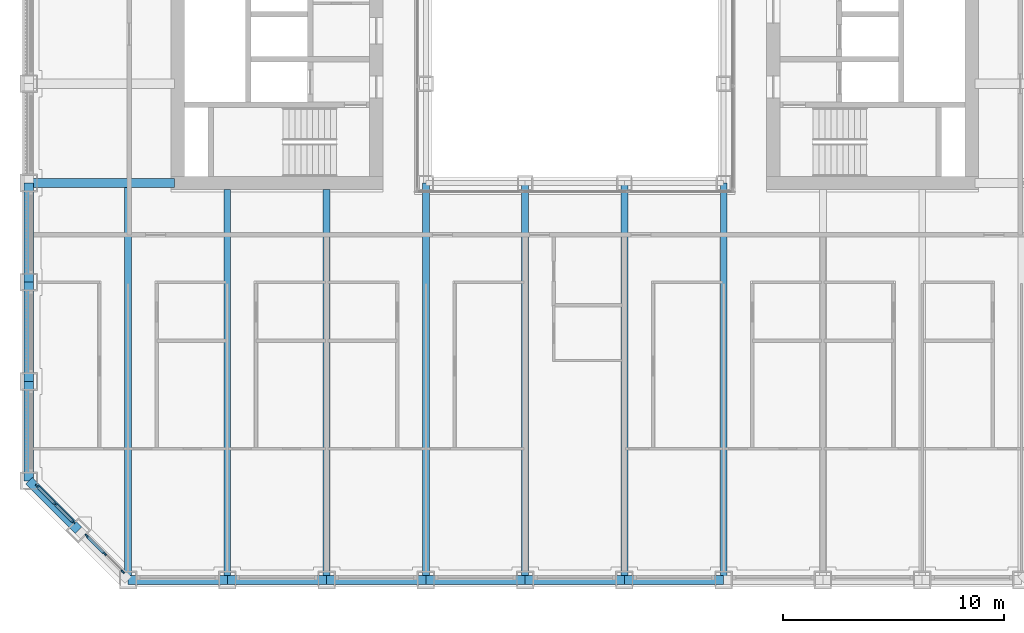
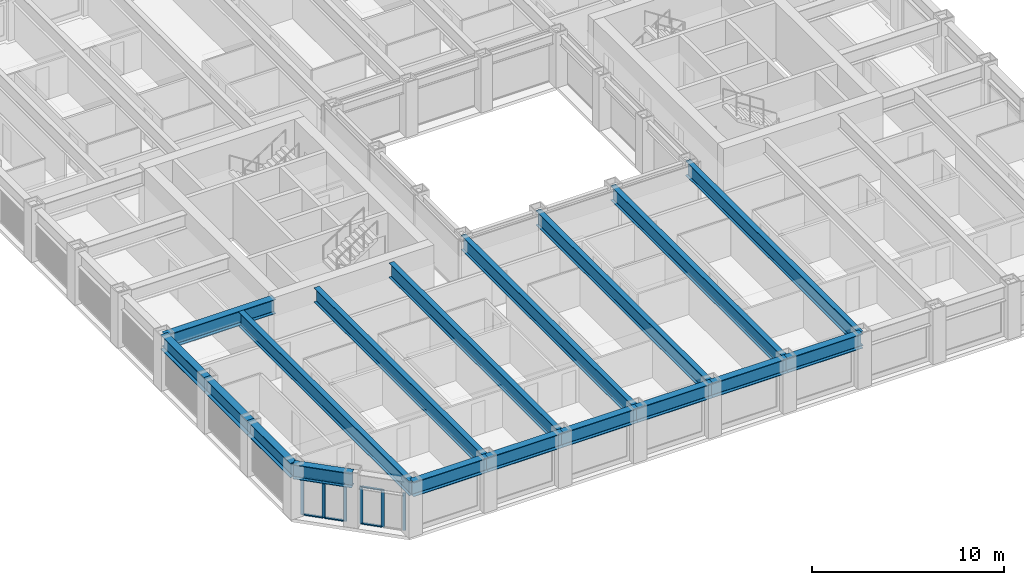
# One storey, part 2 of 20: 18 beams, 12 members, 2 elements without a shape of their own.
"""IFC4 building model written with IfcOpenShell, lengths in metres."""

from ifc_helpers import new_model, si_unit, direction, frame, origin, origin_2d, place, context, subcontext, project, spatial, rectangle, i_section, extrude, material, material_profile, profile_set, type_object, element, aggregate, save


model = new_model("IFC4")

# Units and contexts
model_context = context("Model", 3, precision=1e-05, world=origin(), true_north=direction((0.0, 1.0)))
body_context = subcontext(model_context, "Body", "Model", "MODEL_VIEW")
ifc_project = project(units=[si_unit("LENGTHUNIT", "METRE"), si_unit("AREAUNIT", "SQUARE_METRE"), si_unit("VOLUMEUNIT", "CUBIC_METRE"), si_unit("PLANEANGLEUNIT", "RADIAN"), si_unit("MASSUNIT", "GRAM", prefix="KILO")], contexts=[model_context])

# Site, building, storey
site_placement = place(None, origin())
site = spatial("IfcSite", under=ifc_project, at=site_placement, CompositionType="ELEMENT")
building_placement = place(site_placement, origin())
building = spatial("IfcBuilding", under=site, at=building_placement, Name="Msasa Ring Tower", CompositionType="ELEMENT")
storey_placement = place(building_placement, frame((0.0, 0.0, 58.0)))
storey = spatial("IfcBuildingStorey", under=building, at=storey_placement, Name="L14", CompositionType="ELEMENT", Elevation=58.0)

# Curtain wall, members
ifc_material_1 = material(Name="Aluminium curtain wall with clear glass", Category="aluminium")
curtain_wall_type = type_object("IfcCurtainWallType", Name="CW-C CHAMFER CORNER CURTAIN WALL", PredefinedType="NOTDEFINED", material=ifc_material_1)
curtain_wall_1_placement = place(storey_placement, origin())
curtain_wall_1 = element("IfcCurtainWall", 1, at=curtain_wall_1_placement, inside=storey, type_object=curtain_wall_type, Name="Chamfer corner curtain wall SW L14", PredefinedType="NOTDEFINED")
ifc_material_2 = material(Name="Aluminium mullion", Category="aluminium")
ifc_material_profile_1 = material_profile(ifc_material_2, rectangle(XDim=0.06494140625, YDim=0.179931640625, at=origin_2d()), Name="AL 65x180")
ifc_profile_set_1 = profile_set([ifc_material_profile_1], Name="Aluminium mullion")
member_type_1 = type_object("IfcMemberType", Name="CW-C MULLION 65x180", PredefinedType="MULLION", material=ifc_profile_set_1)
member_1_placement = place(storey_placement, frame((-24.369873046875, -20.48876953125, 0.0), z_axis=(0.0, 0.0, 1.0), x_axis=(0.707106781187, 0.707106781187, 0.0)))
member_1 = element("IfcMember", 2, at=member_1_placement, type_object=member_type_1, Name="CW-C mullion 1", PredefinedType="MULLION", context=body_context, shape_type="SweptSolid", body=[
    extrude(rectangle(XDim=0.06494140625, YDim=0.179931640625, at=origin_2d()), origin(), (0.0, 0.0, 1.0), 2.37890625),
])
member_2_placement = place(storey_placement, frame((-23.55419921875, -21.30419921875, 0.0), z_axis=(0.0, 0.0, 1.0), x_axis=(0.707106781187, 0.707106781187, 0.0)))
member_2 = element("IfcMember", 3, at=member_2_placement, type_object=member_type_1, Name="CW-C mullion 2", PredefinedType="MULLION", context=body_context, shape_type="SweptSolid", body=[
    extrude(rectangle(XDim=0.06494140625, YDim=0.179931640625, at=origin_2d()), origin(), (0.0, 0.0, 1.0), 2.37890625),
])
member_3_placement = place(storey_placement, frame((-22.73876953125, -22.119873046875, 0.0), z_axis=(0.0, 0.0, 1.0), x_axis=(0.707106781187, 0.707106781187, 0.0)))
member_3 = element("IfcMember", 4, at=member_3_placement, type_object=member_type_1, Name="CW-C mullion 3", PredefinedType="MULLION", context=body_context, shape_type="SweptSolid", body=[
    extrude(rectangle(XDim=0.06494140625, YDim=0.179931640625, at=origin_2d()), origin(), (0.0, 0.0, 1.0), 2.37890625),
])

curtain_wall_2_placement = place(storey_placement, origin())
curtain_wall_2 = element("IfcCurtainWall", 5, at=curtain_wall_2_placement, inside=storey, type_object=curtain_wall_type, Name="Chamfer corner curtain wall SW L14", PredefinedType="NOTDEFINED")
member_4_placement = place(storey_placement, frame((-22.119873046875, -22.73876953125, 0.0), z_axis=(0.0, 0.0, 1.0), x_axis=(0.707106781187, 0.707106781187, 0.0)))
member_4 = element("IfcMember", 6, at=member_4_placement, type_object=member_type_1, Name="CW-C mullion 1", PredefinedType="MULLION", context=body_context, shape_type="SweptSolid", body=[
    extrude(rectangle(XDim=0.06494140625, YDim=0.179931640625, at=origin_2d()), origin(), (0.0, 0.0, 1.0), 2.37890625),
])
member_5_placement = place(storey_placement, frame((-21.30419921875, -23.55419921875, 0.0), z_axis=(0.0, 0.0, 1.0), x_axis=(0.707106781187, 0.707106781187, 0.0)))
member_5 = element("IfcMember", 7, at=member_5_placement, type_object=member_type_1, Name="CW-C mullion 2", PredefinedType="MULLION", context=body_context, shape_type="SweptSolid", body=[
    extrude(rectangle(XDim=0.06494140625, YDim=0.179931640625, at=origin_2d()), origin(), (0.0, 0.0, 1.0), 2.37890625),
])
member_6_placement = place(storey_placement, frame((-20.48876953125, -24.369873046875, 0.0), z_axis=(0.0, 0.0, 1.0), x_axis=(0.707106781187, 0.707106781187, 0.0)))
member_6 = element("IfcMember", 8, at=member_6_placement, type_object=member_type_1, Name="CW-C mullion 3", PredefinedType="MULLION", context=body_context, shape_type="SweptSolid", body=[
    extrude(rectangle(XDim=0.06494140625, YDim=0.179931640625, at=origin_2d()), origin(), (0.0, 0.0, 1.0), 2.37890625),
])

# Member
ifc_material_3 = material(Name="Aluminium transom", Category="aluminium")
ifc_material_profile_2 = material_profile(ifc_material_3, rectangle(XDim=0.139892578125, YDim=0.06494140625, at=origin_2d()), Name="AL 65x140")
ifc_profile_set_2 = profile_set([ifc_material_profile_2], Name="Aluminium transom")
member_type_2 = type_object("IfcMemberType", Name="CW-C TRANSOM 65x140", PredefinedType="USERDEFINED", material=ifc_profile_set_2)
member_7_placement = place(storey_placement, frame((-24.346923828125, -20.51171875, 0.032470703125), z_axis=(0.707106781187, -0.707106781187, 0.0), x_axis=(0.707106781187, 0.707106781187, 0.0)))
member_7 = element("IfcMember", 9, at=member_7_placement, type_object=member_type_2, Name="CW-C transom 1.1", ObjectType="TRANSOM", PredefinedType="USERDEFINED", context=body_context, shape_type="SweptSolid", body=[
    extrude(rectangle(XDim=0.139892578125, YDim=0.06494140625, at=origin_2d()), origin(), (0.0, 0.0, 1.0), 1.08837890625),
])

member_8_placement = place(storey_placement, frame((-24.346923828125, -20.51171875, 2.346435546875), z_axis=(0.707106781187, -0.707106781187, 0.0), x_axis=(0.707106781187, 0.707106781187, 0.0)))
member_8 = element("IfcMember", 10, at=member_8_placement, type_object=member_type_2, Name="CW-C transom 1.2", ObjectType="TRANSOM", PredefinedType="USERDEFINED", context=body_context, shape_type="SweptSolid", body=[
    extrude(rectangle(XDim=0.139892578125, YDim=0.06494140625, at=origin_2d()), origin(), (0.0, 0.0, 1.0), 1.08837890625),
])

member_9_placement = place(storey_placement, frame((-23.53125, -21.327392578125, 0.032470703125), z_axis=(0.707106781187, -0.707106781187, 0.0), x_axis=(0.707106781187, 0.707106781187, 0.0)))
member_9 = element("IfcMember", 11, at=member_9_placement, type_object=member_type_2, Name="CW-C transom 2.1", ObjectType="TRANSOM", PredefinedType="USERDEFINED", context=body_context, shape_type="SweptSolid", body=[
    extrude(rectangle(XDim=0.139892578125, YDim=0.06494140625, at=origin_2d()), origin(), (0.0, 0.0, 1.0), 1.08837890625),
])

member_10_placement = place(storey_placement, frame((-23.53125, -21.327392578125, 2.346435546875), z_axis=(0.707106781187, -0.707106781187, 0.0), x_axis=(0.707106781187, 0.707106781187, 0.0)))
member_10 = element("IfcMember", 12, at=member_10_placement, type_object=member_type_2, Name="CW-C transom 2.2", ObjectType="TRANSOM", PredefinedType="USERDEFINED", context=body_context, shape_type="SweptSolid", body=[
    extrude(rectangle(XDim=0.139892578125, YDim=0.06494140625, at=origin_2d()), origin(), (0.0, 0.0, 1.0), 1.08837890625),
])

aggregate(curtain_wall_1, [member_1, member_2, member_3, member_7, member_8, member_9, member_10])

member_11_placement = place(storey_placement, frame((-22.096923828125, -22.76171875, 0.032470703125), z_axis=(0.707106781187, -0.707106781187, 0.0), x_axis=(0.707106781187, 0.707106781187, 0.0)))
member_11 = element("IfcMember", 13, at=member_11_placement, type_object=member_type_2, Name="CW-C transom 1.1", ObjectType="TRANSOM", PredefinedType="USERDEFINED", context=body_context, shape_type="SweptSolid", body=[
    extrude(rectangle(XDim=0.139892578125, YDim=0.06494140625, at=origin_2d()), origin(), (0.0, 0.0, 1.0), 1.08837890625),
])

member_12_placement = place(storey_placement, frame((-22.096923828125, -22.76171875, 2.346435546875), z_axis=(0.707106781187, -0.707106781187, 0.0), x_axis=(0.707106781187, 0.707106781187, 0.0)))
member_12 = element("IfcMember", 14, at=member_12_placement, type_object=member_type_2, Name="CW-C transom 1.2", ObjectType="TRANSOM", PredefinedType="USERDEFINED", context=body_context, shape_type="SweptSolid", body=[
    extrude(rectangle(XDim=0.139892578125, YDim=0.06494140625, at=origin_2d()), origin(), (0.0, 0.0, 1.0), 1.08837890625),
])

aggregate(curtain_wall_2, [member_4, member_5, member_6, member_11, member_12])

# Beams
ifc_material_4 = material(Name="Steel S355", Category="steel")
ifc_material_profile_3 = material_profile(ifc_material_4, i_section(OverallWidth=0.3076171875, OverallDepth=0.926513671875, WebThickness=0.01953125, FlangeThickness=0.031982421875, FilletRadius=0.01904296875, at=origin_2d()), Name="UB 914x305x289")
ifc_profile_set_3 = profile_set([ifc_material_profile_3], Name="Steel S355")
beam_type_1 = type_object("IfcBeamType", Name="FB3 UB 914x305x289", PredefinedType="BEAM", material=ifc_profile_set_3)
beam_1_placement = place(storey_placement, frame((-20.25, -24.75, 2.836669921875), z_axis=(0.0, 1.0, 0.0), x_axis=(-1.0, 0.0, 0.0)))
element("IfcBeam", 15, at=beam_1_placement, inside=storey, type_object=beam_type_1, Name="Floor beam S-20.25 under L15", PredefinedType="BEAM", context=body_context, shape_type="SweptSolid", body=[
    extrude(i_section(OverallWidth=0.3076171875, OverallDepth=0.926513671875, WebThickness=0.01953125, FlangeThickness=0.031982421875, FilletRadius=0.01904296875, at=origin_2d()), origin(), (0.0, 0.0, 1.0), 17.789794921875),
])
for number, where, z_axis, x_axis, name in (
    (16, (-15.75, -24.75, 2.836669921875), (0.0, 1.0, 0.0), (-1.0, 0.0, 0.0), "Floor beam S-15.75 under L15"),
    (17, (-11.25, -24.75, 2.836669921875), (0.0, 1.0, 0.0), (-1.0, 0.0, 0.0), "Floor beam S-11.25 under L15"),
):
    element("IfcBeam", number, at=place(storey_placement, frame(where, z_axis=z_axis, x_axis=x_axis)), inside=storey, type_object=beam_type_1, Name=name, PredefinedType="BEAM", context=body_context, shape_type="SweptSolid", body=[
        extrude(i_section(OverallWidth=0.3076171875, OverallDepth=0.926513671875, WebThickness=0.01953125, FlangeThickness=0.031982421875, FilletRadius=0.01904296875, at=origin_2d()), origin(), (0.0, 0.0, 1.0), 17.699951171875),
    ])
for number, where, z_axis, x_axis, name in (
    (18, (-6.75, -24.75, 2.836669921875), (0.0, 1.0, 0.0), (-1.0, 0.0, 0.0), "Floor beam S-6.75 under L15"),
    (19, (-2.25, -24.75, 2.836669921875), (0.0, 1.0, 0.0), (-1.0, 0.0, 0.0), "Floor beam S-2.25 under L15"),
    (20, (2.25, -24.75, 2.836669921875), (0.0, 1.0, 0.0), (-1.0, 0.0, 0.0), "Floor beam S+2.25 under L15"),
    (21, (6.75, -24.75, 2.836669921875), (0.0, 1.0, 0.0), (-1.0, 0.0, 0.0), "Floor beam S+6.75 under L15"),
):
    element("IfcBeam", number, at=place(storey_placement, frame(where, z_axis=z_axis, x_axis=x_axis)), inside=storey, type_object=beam_type_1, Name=name, PredefinedType="BEAM", context=body_context, shape_type="SweptSolid", body=[
        extrude(i_section(OverallWidth=0.3076171875, OverallDepth=0.926513671875, WebThickness=0.01953125, FlangeThickness=0.031982421875, FilletRadius=0.01904296875, at=origin_2d()), origin(), (0.0, 0.0, 1.0), 18.0),
    ])
ifc_material_5 = material(Name="Steel S355", Category="steel")
ifc_material_profile_4 = material_profile(ifc_material_5, i_section(OverallWidth=0.42041015625, OverallDepth=0.9208984375, WebThickness=0.021484375, FlangeThickness=0.03662109375, FilletRadius=0.024169921875, at=origin_2d()), Name="UB 914x419x388")
ifc_profile_set_4 = profile_set([ifc_material_profile_4], Name="Steel S355")
beam_type_2 = type_object("IfcBeamType", Name="GB1 UB 914x419x388", PredefinedType="BEAM", material=ifc_profile_set_4)
beam_2_placement = place(storey_placement, frame((-18.14990234375, -6.75, 2.839599609375), z_axis=(-1.0, 0.0, 0.0), x_axis=(0.0, -1.0, 0.0)))
element("IfcBeam", 22, at=beam_2_placement, inside=storey, type_object=beam_type_2, Name="Girder W -6.75 under L15", PredefinedType="BEAM", context=body_context, shape_type="SweptSolid", body=[
    extrude(i_section(OverallWidth=0.42041015625, OverallDepth=0.9208984375, WebThickness=0.021484375, FlangeThickness=0.03662109375, FilletRadius=0.024169921875, at=origin_2d()), origin(), (0.0, 0.0, 1.0), 6.60009765625),
])
ifc_material_6 = material(Name="Steel S355", Category="steel")
ifc_material_profile_5 = material_profile(ifc_material_6, i_section(OverallWidth=0.42041015625, OverallDepth=0.9208984375, WebThickness=0.021484375, FlangeThickness=0.03662109375, FilletRadius=0.024169921875, at=origin_2d()), Name="UB 914x419x388")
ifc_profile_set_5 = profile_set([ifc_material_profile_5], Name="Steel S355")
beam_type_3 = type_object("IfcBeamType", Name="SB1 UB 914x419x388", PredefinedType="SPANDREL", material=ifc_profile_set_5)
for number, where, z_axis, x_axis, name in (
    (23, (-24.75, -6.75, 2.839599609375), (0.0, -1.0, 0.0), (1.0, 0.0, 0.0), "Spandrel W-6.75 to W-11.25 under L15"),
    (24, (-24.75, -11.25, 2.839599609375), (0.0, -1.0, 0.0), (1.0, 0.0, 0.0), "Spandrel W-11.25 to W-15.75 under L15"),
    (25, (-24.75, -15.75, 2.839599609375), (0.0, -1.0, 0.0), (1.0, 0.0, 0.0), "Spandrel W-15.75 to W-20.25 under L15"),
):
    element("IfcBeam", number, at=place(storey_placement, frame(where, z_axis=z_axis, x_axis=x_axis)), inside=storey, type_object=beam_type_3, Name=name, PredefinedType="SPANDREL", context=body_context, shape_type="SweptSolid", body=[
        extrude(i_section(OverallWidth=0.42041015625, OverallDepth=0.9208984375, WebThickness=0.021484375, FlangeThickness=0.03662109375, FilletRadius=0.024169921875, at=origin_2d()), origin(), (0.0, 0.0, 1.0), 4.5),
    ])
beam_3_placement = place(storey_placement, frame((-24.75, -20.25, 2.839599609375), z_axis=(0.707106781187, -0.707106781187, 0.0), x_axis=(0.707106781187, 0.707106781187, 0.0)))
element("IfcBeam", 26, at=beam_3_placement, inside=storey, type_object=beam_type_3, Name="Spandrel W-20.25 to SW under L15", PredefinedType="SPANDREL", context=body_context, shape_type="SweptSolid", body=[
    extrude(i_section(OverallWidth=0.42041015625, OverallDepth=0.9208984375, WebThickness=0.021484375, FlangeThickness=0.03662109375, FilletRadius=0.024169921875, at=origin_2d()), origin(), (0.0, 0.0, 1.0), 3.181884765625),
])
for number, where, z_axis, x_axis, name in (
    (27, (-20.25, -24.75, 2.839599609375), (1.0, 0.0, 0.0), (0.0, 1.0, 0.0), "Spandrel S-20.25 to S-15.75 under L15"),
    (28, (-15.75, -24.75, 2.839599609375), (1.0, 0.0, 0.0), (0.0, 1.0, 0.0), "Spandrel S-15.75 to S-11.25 under L15"),
    (29, (-11.25, -24.75, 2.839599609375), (1.0, 0.0, 0.0), (0.0, 1.0, 0.0), "Spandrel S-11.25 to S-6.75 under L15"),
    (30, (-6.75, -24.75, 2.839599609375), (1.0, 0.0, 0.0), (0.0, 1.0, 0.0), "Spandrel S-6.75 to S-2.25 under L15"),
    (31, (-2.25, -24.75, 2.839599609375), (1.0, 0.0, 0.0), (0.0, 1.0, 0.0), "Spandrel S-2.25 to S+2.25 under L15"),
    (32, (2.25, -24.75, 2.839599609375), (1.0, 0.0, 0.0), (0.0, 1.0, 0.0), "Spandrel S+2.25 to S+6.75 under L15"),
):
    element("IfcBeam", number, at=place(storey_placement, frame(where, z_axis=z_axis, x_axis=x_axis)), inside=storey, type_object=beam_type_3, Name=name, PredefinedType="SPANDREL", context=body_context, shape_type="SweptSolid", body=[
        extrude(i_section(OverallWidth=0.42041015625, OverallDepth=0.9208984375, WebThickness=0.021484375, FlangeThickness=0.03662109375, FilletRadius=0.024169921875, at=origin_2d()), origin(), (0.0, 0.0, 1.0), 4.5),
    ])

save(model, "model.ifc")
